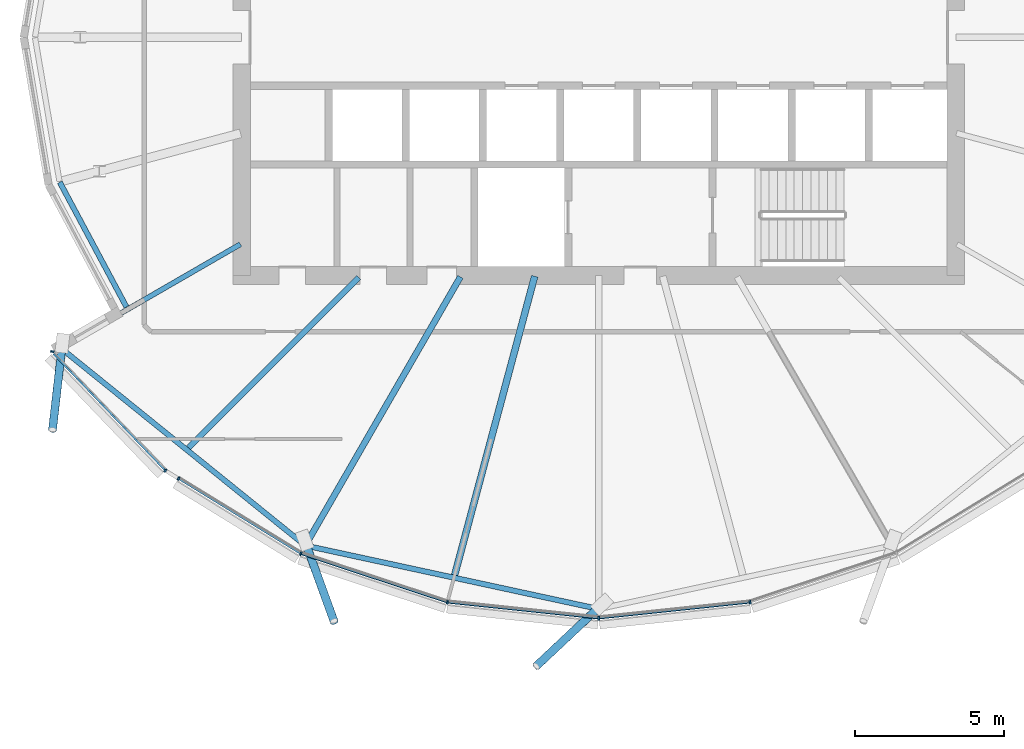
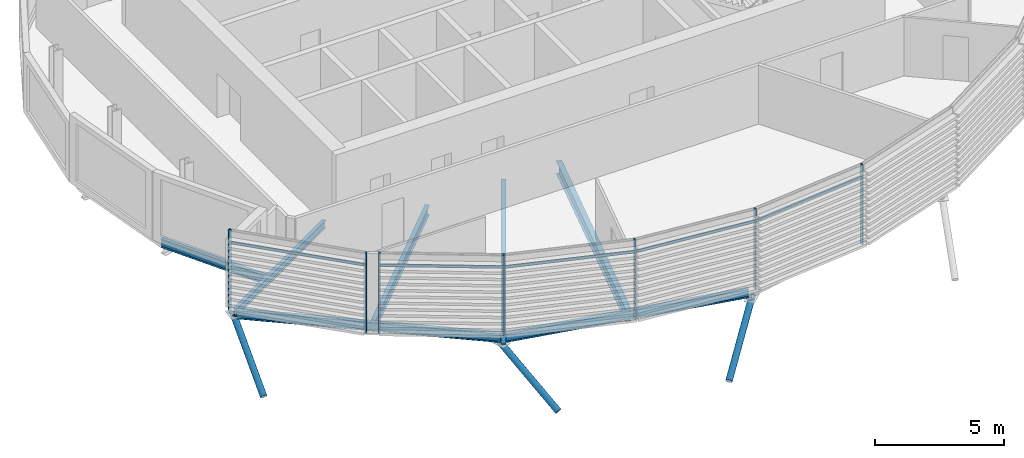
# One storey, part 3 of 36: 15 members, 7 beams, 1 element without a shape of its own.
"""IFC4 building model written with IfcOpenShell, lengths in metres."""

import ifcopenshell
import ifcopenshell.guid

model = None  # the IFC model being written
_history = None  # IfcOwnerHistory: only IFC2X3 demands one
_inside = {}  # id of a spatial element -> (the spatial element, [elements in it])
_under = {}  # id of a project, library or spatial element -> (it, [spatial elements below it])
_declared = {}  # id of a project -> (the project, [libraries it declares])
_typed = {}  # id of a type object -> (the type object, [elements of that type])
_made_of = {}  # id of a material, layer set ... -> (it, [elements and type objects made of it])


def new_model(schema):
    """Start an empty IFC model of exactly this schema.

    Asked for "IFC4X3", IfcOpenShell would pick the latest addendum, in which some entities
    have other attributes; the version numbers below select the first issue.
    IFC2X3 requires an IfcOwnerHistory on every rooted entity: one is made here for all.
    """
    global model, _history
    if schema == "IFC4X3":
        model = ifcopenshell.file(schema_version=(4, 3, 0, 0))
    else:
        model = ifcopenshell.file(schema=schema)
    _inside.clear()
    _under.clear()
    _declared.clear()
    _typed.clear()
    _made_of.clear()
    _history = None
    if model.schema == "IFC2X3":
        org = make("IfcOrganization", Name="unknown")
        user = make(
            "IfcPersonAndOrganization",
            ThePerson=make("IfcPerson", FamilyName="unknown"),
            TheOrganization=org,
        )
        app = make(
            "IfcApplication",
            ApplicationDeveloper=org,
            Version="unknown",
            ApplicationFullName="unknown",
            ApplicationIdentifier="unknown",
        )
        _history = make(
            "IfcOwnerHistory",
            OwningUser=user,
            OwningApplication=app,
            ChangeAction="ADDED",
            CreationDate=0,
        )
    return model


def make(cls, **values):
    """One entity of the class cls with the attributes given. An attribute that is None is left unset."""
    return model.create_entity(
        cls, **{name: value for name, value in values.items() if value is not None}
    )


def rooted(cls, **values):
    """An entity with a GlobalId (a new one), such as an element, a storey or a relation."""
    return make(cls, GlobalId=ifcopenshell.guid.new(), OwnerHistory=_history, **values)


def si_unit(unit_type, name, prefix=None):
    """IfcSIUnit, for example si_unit("LENGTHUNIT", "METRE", prefix="MILLI")."""
    return make("IfcSIUnit", UnitType=unit_type, Prefix=prefix, Name=name)


def assignment(units):
    """IfcUnitAssignment: the units of a project."""
    return None if units is None else make("IfcUnitAssignment", Units=units)


def point(xyz):
    """IfcCartesianPoint."""
    return None if xyz is None else make("IfcCartesianPoint", Coordinates=xyz)


def direction(xyz):
    """IfcDirection."""
    return None if xyz is None else make("IfcDirection", DirectionRatios=xyz)


def frame(location, z_axis=None, x_axis=None):
    """IfcAxis2Placement3D, a coordinate frame: its origin and axes. An axis left out is left unset."""
    return make(
        "IfcAxis2Placement3D",
        Location=point(location),
        Axis=direction(z_axis),
        RefDirection=direction(x_axis),
    )


def frame_2d(location, x_axis=None):
    """IfcAxis2Placement2D, a coordinate frame in the plane: its origin and x axis."""
    return make(
        "IfcAxis2Placement2D", Location=point(location), RefDirection=direction(x_axis)
    )


def origin():
    """The frame at (0, 0, 0) with its axes left unset."""
    return frame((0.0, 0.0, 0.0))


def origin_2d():
    """The frame at (0, 0) in the plane with its x axis left unset."""
    return frame_2d((0.0, 0.0))


def place(relative_to, where):
    """IfcLocalPlacement: puts the frame where relative to a parent placement (None: the world)."""
    return make(
        "IfcLocalPlacement", PlacementRelTo=relative_to, RelativePlacement=where
    )


def context(
    kind, dimensions, precision=None, world=None, true_north=None, identifier=None
):
    """IfcGeometricRepresentationContext, for example the 3D "Model" context."""
    return make(
        "IfcGeometricRepresentationContext",
        ContextIdentifier=identifier,
        ContextType=kind,
        CoordinateSpaceDimension=dimensions,
        Precision=precision,
        WorldCoordinateSystem=world,
        TrueNorth=true_north,
    )


def subcontext(parent, identifier, kind, view, scale=None):
    """IfcGeometricRepresentationSubContext, for example "Body" below "Model"."""
    return make(
        "IfcGeometricRepresentationSubContext",
        ContextIdentifier=identifier,
        ContextType=kind,
        ParentContext=parent,
        TargetScale=scale,
        TargetView=view,
    )


def project(units=None, contexts=None):
    """IfcProject with its units and contexts."""
    return rooted(
        "IfcProject",
        Name="project",
        RepresentationContexts=contexts,
        UnitsInContext=assignment(units),
    )


def spatial(cls, under=None, at=None, **own):
    """A site, building, storey or space (cls), placed at a placement, below another one or the project."""
    s = rooted(cls, ObjectPlacement=at, **own)
    if under is not None:
        _under.setdefault(under.id(), (under, []))[1].append(s)
    return s


def profile(cls, at=None, kind="AREA", **sizes):
    """A parametric profile (cls). Its sizes go by their IFC names, for example OverallWidth=200.0."""
    return make(cls, ProfileType=kind, Position=at, **sizes)


def rectangle(**sizes):
    """IfcRectangleProfileDef."""
    return profile("IfcRectangleProfileDef", **sizes)


def hollow_circle(**sizes):
    """IfcCircleHollowProfileDef."""
    return profile("IfcCircleHollowProfileDef", **sizes)


def i_section(**sizes):
    """IfcIShapeProfileDef."""
    return profile("IfcIShapeProfileDef", **sizes)


def extrude(swept, where, along, depth):
    """IfcExtrudedAreaSolid: the profile swept, set in the frame where, extruded along a direction by depth."""
    return make(
        "IfcExtrudedAreaSolid",
        SweptArea=swept,
        Position=where,
        ExtrudedDirection=direction(along),
        Depth=depth,
    )


def clip(a, b, op="DIFFERENCE"):
    """IfcBooleanClippingResult: the solid a cut by the half space b."""
    return make(
        "IfcBooleanClippingResult", Operator=op, FirstOperand=a, SecondOperand=b
    )


def halfspace(plane, agree):
    """IfcHalfSpaceSolid: all space on one side of the plane z = 0 of the frame plane."""
    return make(
        "IfcHalfSpaceSolid",
        BaseSurface=make("IfcPlane", Position=plane),
        AgreementFlag=agree,
    )


def shape(context_of_items, identifier, shape_type, items):
    """IfcShapeRepresentation: the items that make up one representation, for example the "Body"."""
    return make(
        "IfcShapeRepresentation",
        ContextOfItems=context_of_items,
        RepresentationIdentifier=identifier,
        RepresentationType=shape_type,
        Items=items,
    )


def material(Name=None, Category=None):
    """IfcMaterial."""
    return make("IfcMaterial", Name=Name, Category=Category)


def material_profile(
    of_material, cross_section, Name=None, Category=None, Priority=None
):
    """IfcMaterialProfile: a cross section and its material."""
    return make(
        "IfcMaterialProfile",
        Name=Name,
        Material=of_material,
        Profile=cross_section,
        Priority=Priority,
        Category=Category,
    )


def profile_set(profiles, Name=None, composite=None):
    """IfcMaterialProfileSet."""
    return make(
        "IfcMaterialProfileSet",
        Name=Name,
        MaterialProfiles=profiles,
        CompositeProfile=composite,
    )


def made_of(thing, what):
    """Note that an element or type object is made of a material, layer set ...; save() writes the relation."""
    if what is not None:
        _made_of.setdefault(what.id(), (what, []))[1].append(thing)
    return thing


def type_object(cls, material=None, **own):
    """A type object (cls), such as IfcWallType, which elements share."""
    return made_of(rooted(cls, **own), material)


def element(
    cls,
    number,
    at=None,
    inside=None,
    cuts=None,
    type_object=None,
    material=None,
    context=None,
    identifier="Body",
    shape_type=None,
    held_by="IfcProductDefinitionShape",
    body=None,
    shapes=None,
    **own,
):
    """One element of the class cls, such as IfcWall. Its Tag is "e" and its number.

    at: its placement. inside: the storey or other place that contains it. cuts: it is an
    opening in that element (IfcRelVoidsElement). A single representation is given by context,
    identifier, shape_type and body (its items); several are given by shapes. held_by: the class
    of the entity that holds the representations. save() writes the other relations.
    """
    e = rooted(cls, Tag="e%d" % number, ObjectPlacement=at, **own)
    if body is not None:
        shapes = [shape(context, identifier, shape_type, body)]
    if shapes is not None:
        e.Representation = make(held_by, Representations=shapes)
    if inside is not None:
        _inside.setdefault(inside.id(), (inside, []))[1].append(e)
    if cuts is not None:
        rooted(
            "IfcRelVoidsElement", RelatingBuildingElement=cuts, RelatedOpeningElement=e
        )
    if type_object is not None:
        _typed.setdefault(type_object.id(), (type_object, []))[1].append(e)
    return made_of(e, material)


def aggregate(whole, parts):
    """IfcRelAggregates: a whole, such as a stair, and the parts it consists of."""
    return rooted("IfcRelAggregates", RelatingObject=whole, RelatedObjects=parts)


def save(model, path):
    """Write the relations noted so far, then the file.

    IfcRelAggregates (storeys below a building ...), IfcRelContainedInSpatialStructure (elements
    in a storey), IfcRelDefinesByType, IfcRelAssociatesMaterial and IfcRelDeclares: one each for
    every whole, place, type object, material and project.
    """
    for whole, parts in _under.values():
        aggregate(whole, parts)
    for where, things in _inside.values():
        rooted(
            "IfcRelContainedInSpatialStructure",
            RelatedElements=things,
            RelatingStructure=where,
        )
    for kind, things in _typed.values():
        rooted("IfcRelDefinesByType", RelatedObjects=things, RelatingType=kind)
    for what, things in _made_of.values():
        rooted("IfcRelAssociatesMaterial", RelatedObjects=things, RelatingMaterial=what)
    for by, libraries in _declared.values():
        rooted("IfcRelDeclares", RelatingContext=by, RelatedDefinitions=libraries)
    model.write(path)


model = new_model("IFC4")

# Units and contexts
model_context = context("Model", 3, precision=1e-05, world=origin(), true_north=direction((0.0, 1.0)))
body_context = subcontext(model_context, "Body", "Model", "MODEL_VIEW")
ifc_project = project(units=[si_unit("LENGTHUNIT", "METRE"), si_unit("AREAUNIT", "SQUARE_METRE"), si_unit("VOLUMEUNIT", "CUBIC_METRE"), si_unit("PLANEANGLEUNIT", "RADIAN"), si_unit("MASSUNIT", "GRAM", prefix="KILO")], contexts=[model_context])

# Site, building, storey
site_placement = place(None, origin())
site = spatial("IfcSite", under=ifc_project, at=site_placement, CompositionType="ELEMENT")
building_placement = place(site_placement, origin())
building = spatial("IfcBuilding", under=site, at=building_placement, Name="Rimbun Link Towers", CompositionType="ELEMENT")
storey_placement = place(building_placement, frame((0.0, 0.0, 189.300048828125)))
storey = spatial("IfcBuildingStorey", under=building, at=storey_placement, Name="L46", CompositionType="ELEMENT", Elevation=189.300048828125)

# Curtain wall, members
ifc_material_1 = material(Name="Aluminium 6063-T6 and low-iron glass", Category="aluminium")
curtain_wall_type = type_object("IfcCurtainWallType", Name="CW1-Z3 unitised vision wall (zone 3)", PredefinedType="NOTDEFINED", material=ifc_material_1)
curtain_wall_placement = place(storey_placement, origin())
curtain_wall = element("IfcCurtainWall", 1, at=curtain_wall_placement, inside=storey, type_object=curtain_wall_type, Name="CW1 L46 T1", PredefinedType="NOTDEFINED")
ifc_material_2 = material(Name="Aluminium 6063-T6", Category="aluminium")
ifc_material_profile_1 = material_profile(ifc_material_2, rectangle(XDim=0.1201171875, YDim=0.06005859375, at=origin_2d()), Name="MULLION 60X120")
ifc_profile_set_1 = profile_set([ifc_material_profile_1], Name="Aluminium 6063-T6")
member_type_1 = type_object("IfcMemberType", Name="CW1 mullion 60X120", PredefinedType="MULLION", material=ifc_profile_set_1)
member_1_placement = place(storey_placement, frame((-46.313232421875, -14.561279296875, 0.0), z_axis=(0.0, 0.0, 1.0), x_axis=(-0.721842893583, -0.692056960795, 0.0)))
member_1 = element("IfcMember", 2, at=member_1_placement, type_object=member_type_1, Name="CW1 mullion", PredefinedType="MULLION", context=body_context, shape_type="SweptSolid", body=[
    extrude(rectangle(XDim=0.1201171875, YDim=0.06005859375, at=origin_2d()), origin(), (0.0, 0.0, 1.0), 3.800048828125),
])
member_2_placement = place(storey_placement, frame((-50.116455078125, -10.56103515625, 0.0), z_axis=(0.0, 0.0, 1.0), x_axis=(-0.990016136454, 0.140954068975, 0.0)))
member_2 = element("IfcMember", 3, at=member_2_placement, type_object=member_type_1, Name="CW1 mullion", PredefinedType="MULLION", context=body_context, shape_type="SweptSolid", body=[
    extrude(rectangle(XDim=0.1201171875, YDim=0.06005859375, at=origin_2d()), origin(), (0.0, 0.0, 1.0), 3.800048828125),
])
member_3_placement = place(storey_placement, frame((-41.764404296875, -17.35595703125, 0.0), z_axis=(0.0, 0.0, 1.0), x_axis=(-0.421700764408, -0.90673505794, 0.0)))
member_3 = element("IfcMember", 4, at=member_3_placement, type_object=member_type_1, Name="CW1 mullion", PredefinedType="MULLION", context=body_context, shape_type="SweptSolid", body=[
    extrude(rectangle(XDim=0.1201171875, YDim=0.06005859375, at=origin_2d()), origin(), (0.0, 0.0, 1.0), 3.800048828125),
])
member_4_placement = place(storey_placement, frame((-45.875, -14.83251953125, 0.0), z_axis=(0.0, 0.0, 1.0), x_axis=(-0.523234516531, -0.852188735381, 0.0)))
member_4 = element("IfcMember", 5, at=member_4_placement, type_object=member_type_1, Name="CW1 mullion", PredefinedType="MULLION", context=body_context, shape_type="SweptSolid", body=[
    extrude(rectangle(XDim=0.1201171875, YDim=0.06005859375, at=origin_2d()), origin(), (0.0, 0.0, 1.0), 3.800048828125),
])
member_5_placement = place(storey_placement, frame((-36.835205078125, -18.989501953125, 0.0), z_axis=(0.0, 0.0, 1.0), x_axis=(-0.210876961602, -0.977512612228, 0.0)))
member_5 = element("IfcMember", 6, at=member_5_placement, type_object=member_type_1, Name="CW1 mullion", PredefinedType="MULLION", context=body_context, shape_type="SweptSolid", body=[
    extrude(rectangle(XDim=0.1201171875, YDim=0.06005859375, at=origin_2d()), origin(), (0.0, 0.0, 1.0), 3.800048828125),
])
member_6_placement = place(storey_placement, frame((-31.75, -19.525146484375, 0.0), z_axis=(0.0, 0.0, 1.0), x_axis=(0.0, -1.0, 0.0)))
member_6 = element("IfcMember", 7, at=member_6_placement, type_object=member_type_1, Name="CW1 mullion", PredefinedType="MULLION", context=body_context, shape_type="SweptSolid", body=[
    extrude(rectangle(XDim=0.1201171875, YDim=0.06005859375, at=origin_2d()), origin(), (0.0, 0.0, 1.0), 3.800048828125),
])
member_7_placement = place(storey_placement, frame((-26.664794921875, -18.989501953125, 0.0), z_axis=(0.0, 0.0, 1.0), x_axis=(0.210876961602, -0.977512612228, 0.0)))
member_7 = element("IfcMember", 8, at=member_7_placement, type_object=member_type_1, Name="CW1 mullion", PredefinedType="MULLION", context=body_context, shape_type="SweptSolid", body=[
    extrude(rectangle(XDim=0.1201171875, YDim=0.06005859375, at=origin_2d()), origin(), (0.0, 0.0, 1.0), 3.800048828125),
])
ifc_material_3 = material(Name="Aluminium 6063-T6", Category="aluminium")
ifc_material_profile_2 = material_profile(ifc_material_3, rectangle(XDim=0.06005859375, YDim=0.1201171875, at=origin_2d()), Name="TRANSOM 60X120")
ifc_profile_set_2 = profile_set([ifc_material_profile_2], Name="Aluminium 6063-T6")
member_type_2 = type_object("IfcMemberType", Name="CW1 transom 60X120", PredefinedType="USERDEFINED", material=ifc_profile_set_2)
member_8_placement = place(storey_placement, frame((-46.33251953125, -14.538330078125, 3.199951171875), z_axis=(-0.69204153112, 0.721857686255, 0.0), x_axis=(-0.721857686255, -0.69204153112, 0.0)))
member_8 = element("IfcMember", 9, at=member_8_placement, type_object=member_type_2, Name="CW1 transom", ObjectType="TRANSOM", PredefinedType="USERDEFINED", context=body_context, shape_type="SweptSolid", body=[
    extrude(rectangle(XDim=0.06005859375, YDim=0.1201171875, at=origin_2d()), origin(), (0.0, 0.0, 1.0), 5.412353515625),
])
member_9_placement = place(storey_placement, frame((-41.794921875, -17.33544921875, 3.199951171875), z_axis=(-0.852167210465, 0.523269572408, 0.0), x_axis=(-0.523269572408, -0.852167210465, 0.0)))
member_9 = element("IfcMember", 10, at=member_9_placement, type_object=member_type_2, Name="CW1 transom", ObjectType="TRANSOM", PredefinedType="USERDEFINED", context=body_context, shape_type="SweptSolid", body=[
    extrude(rectangle(XDim=0.06005859375, YDim=0.1201171875, at=origin_2d()), origin(), (0.0, 0.0, 1.0), 4.756591796875),
])
member_10_placement = place(storey_placement, frame((-36.869140625, -18.9765625, 3.199951171875), z_axis=(-0.949239776914, 0.31455340711, 0.0), x_axis=(-0.31455340711, -0.949239776914, 0.0)))
member_10 = element("IfcMember", 11, at=member_10_placement, type_object=member_type_2, Name="CW1 transom", ObjectType="TRANSOM", PredefinedType="USERDEFINED", context=body_context, shape_type="SweptSolid", body=[
    extrude(rectangle(XDim=0.06005859375, YDim=0.1201171875, at=origin_2d()), origin(), (0.0, 0.0, 1.0), 5.119384765625),
])
member_11_placement = place(storey_placement, frame((-31.785888671875, -19.519775390625, 3.199951171875), z_axis=(-0.994497222689, 0.104762942224, 0.0), x_axis=(-0.104762942224, -0.994497222689, 0.0)))
member_11 = element("IfcMember", 12, at=member_11_placement, type_object=member_type_2, Name="CW1 transom", ObjectType="TRANSOM", PredefinedType="USERDEFINED", context=body_context, shape_type="SweptSolid", body=[
    extrude(rectangle(XDim=0.06005859375, YDim=0.1201171875, at=origin_2d()), origin(), (0.0, 0.0, 1.0), 5.040771484375),
])
member_12_placement = place(storey_placement, frame((-26.701171875, -18.99169921875, 3.199951171875), z_axis=(-0.994497222689, -0.104762942224, 0.0), x_axis=(0.104762942224, -0.994497222689, 0.0)))
member_12 = element("IfcMember", 13, at=member_12_placement, type_object=member_type_2, Name="CW1 transom", ObjectType="TRANSOM", PredefinedType="USERDEFINED", context=body_context, shape_type="SweptSolid", body=[
    extrude(rectangle(XDim=0.06005859375, YDim=0.1201171875, at=origin_2d()), origin(), (0.0, 0.0, 1.0), 5.040771484375),
])
aggregate(curtain_wall, [member_1, member_2, member_3, member_4, member_5, member_6, member_7, member_8, member_9, member_10, member_11, member_12])

# Members
ifc_material_4 = material(Name="Steel S355J2H", Category="steel")
ifc_material_profile_3 = material_profile(ifc_material_4, hollow_circle(Radius=0.136474609375, WallThickness=0.012451171875, at=origin_2d()), Name="CHS 273x12.5")
ifc_profile_set_3 = profile_set([ifc_material_profile_3], Name="Steel S355J2H")
member_type_3 = type_object("IfcMemberType", Name="Floor edge link CHS 273x12.5", PredefinedType="BRACE", material=ifc_profile_set_3)
member_13_placement = place(storey_placement, frame((-49.790771484375, -10.416015625, -0.617919921875), z_axis=(-0.09416513206, -0.820993246191, -0.563119008392), x_axis=(0.993486540182, -0.113949526005, 0.0)))
element("IfcMember", 14, at=member_13_placement, inside=storey, type_object=member_type_3, Name="Floor edge link T1 L46 14", PredefinedType="BRACE", context=body_context, shape_type="Clipping", body=[
    clip(extrude(hollow_circle(Radius=0.136474609375, WallThickness=0.012451171875, at=origin_2d()), frame((0.0, 0.0, -0.41845703125)), (0.0, 0.0, 1.0), 3.8095703125), halfspace(frame((0.0, 0.0, -0.19677734375), z_axis=(0.0, 0.826375811836, -0.563119008392)), False)),
])
member_14_placement = place(storey_placement, frame((-41.58642578125, -17.037109375, -0.797119140625), z_axis=(0.284856749415, -0.784418959211, -0.550947845756), x_axis=(0.939942080074, 0.341333980298, 0.0)))
element("IfcMember", 15, at=member_14_placement, inside=storey, type_object=member_type_3, Name="Floor edge link T1 L46 16", PredefinedType="BRACE", context=body_context, shape_type="Clipping", body=[
    clip(extrude(hollow_circle(Radius=0.136474609375, WallThickness=0.012451171875, at=origin_2d()), frame((0.0, 0.0, -0.431640625)), (0.0, 0.0, 1.0), 3.76220703125), halfspace(frame((0.0, 0.0, -0.203125), z_axis=(0.0, 0.834539676263, -0.550947845756)), False)),
])
member_15_placement = place(storey_placement, frame((-31.75, -19.163818359375, -0.86865234375), z_axis=(-0.619186961952, -0.581182435046, -0.528047804032), x_axis=(0.684376367162, -0.729128924176, 0.0)))
element("IfcMember", 16, at=member_15_placement, inside=storey, type_object=member_type_3, Name="Floor edge link T1 L46 18", PredefinedType="BRACE", context=body_context, shape_type="Clipping", body=[
    clip(extrude(hollow_circle(Radius=0.136474609375, WallThickness=0.012451171875, at=origin_2d()), frame((0.0, 0.0, -0.4580078125)), (0.0, 0.0, 1.0), 3.86279296875), halfspace(frame((0.0, 0.0, -0.2158203125), z_axis=(0.0, 0.849214646987, -0.528047804032)), False)),
])

# Beams
ifc_material_5 = material(Name="Steel S355J2", Category="steel")
ifc_material_profile_4 = material_profile(ifc_material_5, i_section(OverallWidth=0.17138671875, OverallDepth=0.35498046875, WebThickness=0.00732421875, FlangeThickness=0.011474609375, at=origin_2d()), Name="UB 356x171x51")
ifc_profile_set_4 = profile_set([ifc_material_profile_4], Name="Steel S355J2")
beam_type_1 = type_object("IfcBeamType", Name="UB 356x171x51", PredefinedType="BEAM", material=ifc_profile_set_4)
beam_1_placement = place(storey_placement, frame((-43.793701171875, -6.95361328125, -0.32763671875), z_axis=(-0.866028783947, -0.499994145342, 0.0), x_axis=(0.499994145342, -0.866028783947, 0.0)))
element("IfcBeam", 17, at=beam_1_placement, inside=storey, type_object=beam_type_1, Name="Radial beam T1 L46 14", PredefinedType="BEAM", context=body_context, shape_type="SweptSolid", body=[
    extrude(i_section(OverallWidth=0.17138671875, OverallDepth=0.35498046875, WebThickness=0.00732421875, FlangeThickness=0.011474609375, at=origin_2d()), origin(), (0.0, 0.0, 1.0), 6.974609375),
])
ifc_material_6 = material(Name="Steel S355J2", Category="steel")
ifc_material_profile_5 = material_profile(ifc_material_6, i_section(OverallWidth=0.177978515625, OverallDepth=0.406494140625, WebThickness=0.0078125, FlangeThickness=0.0126953125, at=origin_2d()), Name="UB 406x178x60")
ifc_profile_set_5 = profile_set([ifc_material_profile_5], Name="Steel S355J2")
beam_type_2 = type_object("IfcBeamType", Name="UB 406x178x60", PredefinedType="BEAM", material=ifc_profile_set_5)
beam_2_placement = place(storey_placement, frame((-49.864501953125, -4.869384765625, -0.353271484375), z_axis=(0.471414466276, -0.881911787531, 0.0), x_axis=(0.881911787531, 0.471414466276, 0.0)))
element("IfcBeam", 18, at=beam_2_placement, inside=storey, type_object=beam_type_2, Name="Edge beam T1 L46 13 recess", PredefinedType="BEAM", context=body_context, shape_type="SweptSolid", body=[
    extrude(i_section(OverallWidth=0.177978515625, OverallDepth=0.406494140625, WebThickness=0.0078125, FlangeThickness=0.0126953125, at=origin_2d()), origin(), (0.0, 0.0, 1.0), 4.753173828125),
])
beam_3_placement = place(storey_placement, frame((-49.76171875, -10.499267578125, -0.353271484375), z_axis=(0.778016870357, -0.62824338392, 0.0), x_axis=(0.62824338392, 0.778016870357, 0.0)))
element("IfcBeam", 19, at=beam_3_placement, inside=storey, type_object=beam_type_2, Name="Edge beam T1 L46 14-16", PredefinedType="BEAM", context=body_context, shape_type="SweptSolid", body=[
    extrude(i_section(OverallWidth=0.177978515625, OverallDepth=0.406494140625, WebThickness=0.0078125, FlangeThickness=0.0126953125, at=origin_2d()), origin(), (0.0, 0.0, 1.0), 10.368896484375),
])
beam_4_placement = place(storey_placement, frame((-41.5029296875, -17.10400390625, -0.353271484375), z_axis=(0.977392598687, -0.211432514129, 0.0), x_axis=(0.211432514129, 0.977392598687, 0.0)))
element("IfcBeam", 20, at=beam_4_placement, inside=storey, type_object=beam_type_2, Name="Edge beam T1 L46 16-18", PredefinedType="BEAM", context=body_context, shape_type="SweptSolid", body=[
    extrude(i_section(OverallWidth=0.177978515625, OverallDepth=0.406494140625, WebThickness=0.0078125, FlangeThickness=0.0126953125, at=origin_2d()), origin(), (0.0, 0.0, 1.0), 9.861083984375),
])
ifc_material_7 = material(Name="Steel S355J2", Category="steel")
ifc_material_profile_6 = material_profile(ifc_material_7, i_section(OverallWidth=0.18994140625, OverallDepth=0.453369140625, WebThickness=0.008544921875, FlangeThickness=0.0126953125, at=origin_2d()), Name="UB 457x191x67")
ifc_profile_set_6 = profile_set([ifc_material_profile_6], Name="Steel S355J2")
beam_type_3 = type_object("IfcBeamType", Name="UB 457x191x67", PredefinedType="BEAM", material=ifc_profile_set_6)
beam_5_placement = place(storey_placement, frame((-39.81787109375, -8.06787109375, -0.376708984375), z_axis=(-0.707106781187, -0.707106781187, 0.0), x_axis=(0.707106781187, -0.707106781187, 0.0)))
element("IfcBeam", 21, at=beam_5_placement, inside=storey, type_object=beam_type_3, Name="Radial beam T1 L46 15", PredefinedType="BEAM", context=body_context, shape_type="SweptSolid", body=[
    extrude(i_section(OverallWidth=0.18994140625, OverallDepth=0.453369140625, WebThickness=0.008544921875, FlangeThickness=0.0126953125, at=origin_2d()), origin(), (0.0, 0.0, 1.0), 8.094482421875),
])
ifc_material_8 = material(Name="Steel S355J2", Category="steel")
ifc_material_profile_7 = material_profile(ifc_material_8, i_section(OverallWidth=0.209228515625, OverallDepth=0.533203125, WebThickness=0.010009765625, FlangeThickness=0.015625, at=origin_2d()), Name="UB 533x210x92")
ifc_profile_set_7 = profile_set([ifc_material_profile_7], Name="Steel S355J2")
beam_type_4 = type_object("IfcBeamType", Name="UB 533x210x92", PredefinedType="BEAM", material=ifc_profile_set_7)
beam_6_placement = place(storey_placement, frame((-36.3994140625, -8.05322265625, -0.41650390625), z_axis=(-0.499998180979, -0.866026453994, 0.0), x_axis=(0.866026453994, -0.499998180979, 0.0)))
element("IfcBeam", 22, at=beam_6_placement, inside=storey, type_object=beam_type_4, Name="Radial beam T1 L46 16", PredefinedType="BEAM", context=body_context, shape_type="SweptSolid", body=[
    extrude(i_section(OverallWidth=0.209228515625, OverallDepth=0.533203125, WebThickness=0.010009765625, FlangeThickness=0.015625, at=origin_2d()), origin(), (0.0, 0.0, 1.0), 10.423828125),
])
ifc_material_9 = material(Name="Steel S355J2", Category="steel")
ifc_material_profile_8 = material_profile(ifc_material_9, i_section(OverallWidth=0.2275390625, OverallDepth=0.6025390625, WebThickness=0.010498046875, FlangeThickness=0.014892578125, at=origin_2d()), Name="UB 610x229x101")
ifc_profile_set_8 = profile_set([ifc_material_profile_8], Name="Steel S355J2")
beam_type_5 = type_object("IfcBeamType", Name="UB 610x229x101", PredefinedType="BEAM", material=ifc_profile_set_8)
beam_7_placement = place(storey_placement, frame((-33.901611328125, -8.030517578125, -0.451416015625), z_axis=(-0.258837406585, -0.965920906158, 0.0), x_axis=(0.965920906158, -0.258837406585, 0.0)))
element("IfcBeam", 23, at=beam_7_placement, inside=storey, type_object=beam_type_5, Name="Radial beam T1 L46 17", PredefinedType="BEAM", context=body_context, shape_type="SweptSolid", body=[
    extrude(i_section(OverallWidth=0.2275390625, OverallDepth=0.6025390625, WebThickness=0.010498046875, FlangeThickness=0.014892578125, at=origin_2d()), origin(), (0.0, 0.0, 1.0), 10.39794921875),
])

save(model, "model.ifc")
